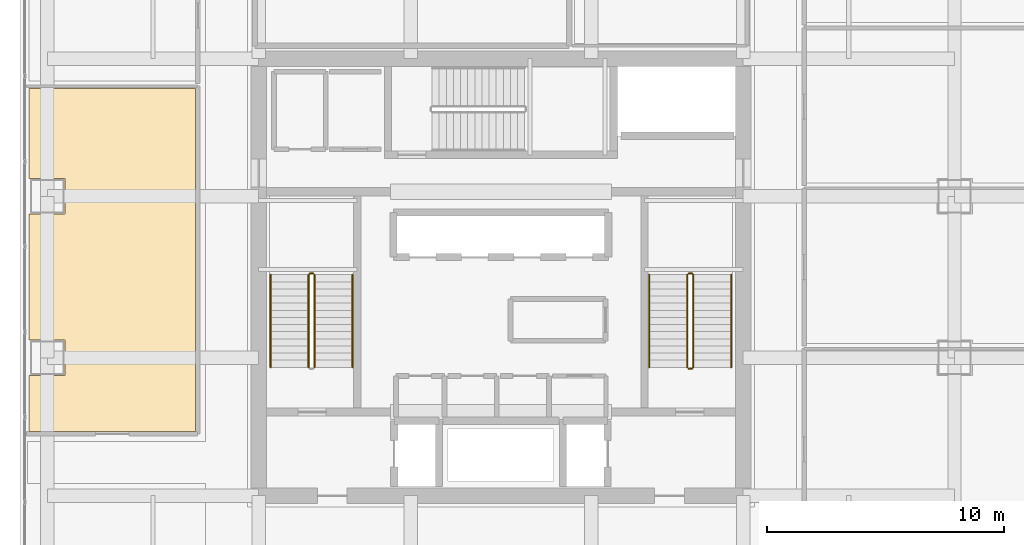
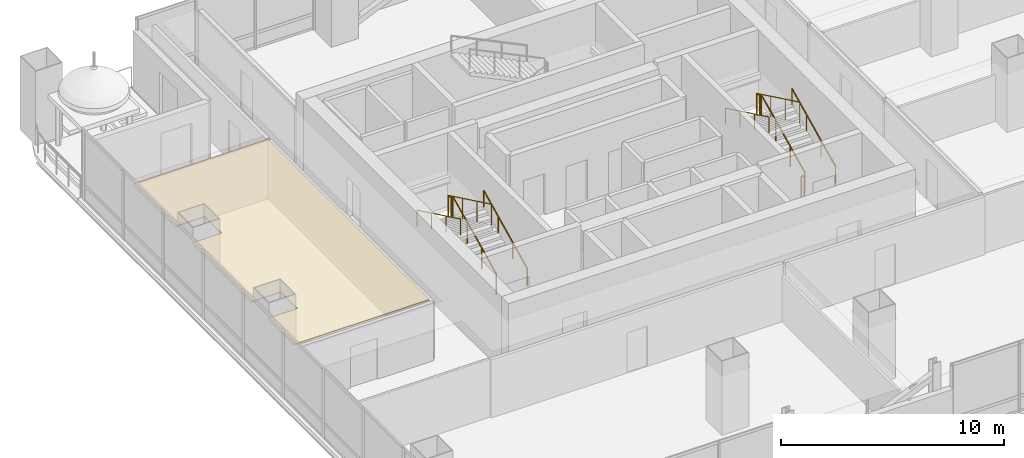
# One storey, part 36 of 41: 11 railings, 1 covering.
"""IFC4 building model written with IfcOpenShell, lengths in metres."""

from ifc_helpers import new_model, si_unit, direction, frame, origin, origin_2d, place, context, subcontext, project, spatial, polyline, circle, outline, extrude, material, layer, layer_set, type_object, element, save


model = new_model("IFC4")

# Units and contexts
model_context = context("Model", 3, precision=1e-05, world=origin(), true_north=direction((0.0, 1.0)))
body_context = subcontext(model_context, "Body", "Model", "MODEL_VIEW")
ifc_project = project(units=[si_unit("LENGTHUNIT", "METRE"), si_unit("AREAUNIT", "SQUARE_METRE"), si_unit("VOLUMEUNIT", "CUBIC_METRE"), si_unit("PLANEANGLEUNIT", "RADIAN"), si_unit("MASSUNIT", "GRAM", prefix="KILO")], contexts=[model_context])

# Site, building, storey
site_placement = place(None, origin())
site = spatial("IfcSite", under=ifc_project, at=site_placement, CompositionType="ELEMENT")
building_placement = place(site_placement, origin())
building = spatial("IfcBuilding", under=site, at=building_placement, Name="Punatoya Terracotta Tower", CompositionType="ELEMENT")
storey_placement = place(building_placement, frame((0.0, 0.0, 220.800048828125)))
storey = spatial("IfcBuildingStorey", under=building, at=storey_placement, Name="L52", CompositionType="ELEMENT", Elevation=220.800048828125)

# Covering
ifc_material_1 = material(Name="Acoustic Mineral Fibre Ceiling")
ifc_layer = layer(ifc_material_1, 0.06005859375)
ifc_layer_set = layer_set([ifc_layer], Name="Acoustic Mineral Fibre Ceiling")
covering_type = type_object("IfcCoveringType", Name="COV-CEIL-60", PredefinedType="CEILING", material=ifc_layer_set)
covering_placement = place(storey_placement, frame((0.0, 0.0, 3.219970703125)))
element("IfcCovering", 1, at=covering_placement, inside=storey, type_object=covering_type, Name="L52 Open-Plan Technical Seminar Room Acoustic Ceiling", PredefinedType="CEILING", context=body_context, shape_type="SweptSolid", body=[
    extrude(outline(polyline([(-19.8701171875, -4.14990234375), (-19.8701171875, -6.5), (-12.8701171875, -6.5), (-12.8701171875, 7.93798828125), (-19.8701171875, 7.93798828125), (-19.8701171875, 4.14990234375), (-18.35009765625, 4.14990234375), (-18.35009765625, 2.64990234375), (-19.8701171875, 2.64990234375), (-19.8701171875, -2.64990234375), (-18.35009765625, -2.64990234375), (-18.35009765625, -4.14990234375), (-19.8701171875, -4.14990234375)])), origin(), (0.0, 0.0, 1.0), 0.06005859375),
])

# Railings
ifc_material_2 = material(Name="Steel S355", Category="steel")
railing_type_1 = type_object("IfcRailingType", Name="RLG-GRD-1150", PredefinedType="GUARDRAIL", material=ifc_material_2)
railing_1_placement = place(storey_placement, frame((-7.85009765625, -3.800048828125, 0.14453125)))
element("IfcRailing", 2, at=railing_1_placement, inside=storey, type_object=railing_type_1, Name="L52 ST-1 stair guard 1", PredefinedType="GUARDRAIL", context=body_context, shape_type="SweptSolid", body=[
    extrude(circle(Radius=0.02392578125, at=origin_2d()), frame((0.0, 0.0, 1.1259765625), z_axis=(0.0, 0.900773802044, 0.434288564841), x_axis=(-1.0, 0.0, 0.0)), (0.0, 0.0, 1.0), 4.329833984375),
    extrude(circle(Radius=0.02099609375, at=origin_2d()), origin(), (0.0, 0.0, 1.0), 1.101806640625),
    extrude(circle(Radius=0.02099609375, at=origin_2d()), frame((0.0, 1.300048828125, 0.626708984375)), (0.0, 0.0, 1.0), 1.101806640625),
    extrude(circle(Radius=0.02099609375, at=origin_2d()), frame((0.0, 2.60009765625, 1.253662109375)), (0.0, 0.0, 1.0), 1.101806640625),
    extrude(circle(Radius=0.02099609375, at=origin_2d()), frame((0.0, 3.900146484375, 1.88037109375)), (0.0, 0.0, 1.0), 1.101806640625),
])
railing_2_placement = place(storey_placement, frame((-7.89990234375, 0.14990234375, 2.02490234375)))
element("IfcRailing", 3, at=railing_2_placement, inside=storey, type_object=railing_type_1, Name="L52 ST-1 stair guard 2", PredefinedType="GUARDRAIL", context=body_context, shape_type="SweptSolid", body=[
    extrude(circle(Radius=0.02392578125, at=origin_2d()), frame((0.0, 0.0, 1.1259765625), z_axis=(-1.0, 0.0, 0.0), x_axis=(0.0, -1.0, 0.0)), (0.0, 0.0, 1.0), 0.150146484375),
    extrude(circle(Radius=0.02099609375, at=origin_2d()), origin(), (0.0, 0.0, 1.0), 1.101806640625),
    extrude(circle(Radius=0.02099609375, at=origin_2d()), frame((-0.150146484375, 0.0, 0.0)), (0.0, 0.0, 1.0), 1.101806640625),
])
railing_3_placement = place(storey_placement, frame((-8.10009765625, 0.10009765625, 2.169677734375)))
element("IfcRailing", 4, at=railing_3_placement, inside=storey, type_object=railing_type_1, Name="L52 ST-1 stair guard 3", PredefinedType="GUARDRAIL", context=body_context, shape_type="SweptSolid", body=[
    extrude(circle(Radius=0.02392578125, at=origin_2d()), frame((0.0, 0.0, 1.1259765625), z_axis=(0.0, -0.900773802044, 0.434288564841), x_axis=(1.0, 0.0, 0.0)), (0.0, 0.0, 1.0), 4.329833984375),
    extrude(circle(Radius=0.02099609375, at=origin_2d()), origin(), (0.0, 0.0, 1.0), 1.101806640625),
    extrude(circle(Radius=0.02099609375, at=origin_2d()), frame((0.0, -1.300048828125, 0.626708984375)), (0.0, 0.0, 1.0), 1.101806640625),
    extrude(circle(Radius=0.02099609375, at=origin_2d()), frame((0.0, -2.60009765625, 1.253662109375)), (0.0, 0.0, 1.0), 1.101806640625),
    extrude(circle(Radius=0.02099609375, at=origin_2d()), frame((0.0, -3.900146484375, 1.88037109375)), (0.0, 0.0, 1.0), 1.101806640625),
])
railing_4_placement = place(storey_placement, frame((8.10009765625, -3.800048828125, 0.14453125)))
element("IfcRailing", 5, at=railing_4_placement, inside=storey, type_object=railing_type_1, Name="L52 ST-2 stair guard 1", PredefinedType="GUARDRAIL", context=body_context, shape_type="SweptSolid", body=[
    extrude(circle(Radius=0.02392578125, at=origin_2d()), frame((0.0, 0.0, 1.1259765625), z_axis=(0.0, 0.900773802044, 0.434288564841), x_axis=(-1.0, 0.0, 0.0)), (0.0, 0.0, 1.0), 4.329833984375),
    extrude(circle(Radius=0.02099609375, at=origin_2d()), origin(), (0.0, 0.0, 1.0), 1.101806640625),
    extrude(circle(Radius=0.02099609375, at=origin_2d()), frame((0.0, 1.300048828125, 0.626708984375)), (0.0, 0.0, 1.0), 1.101806640625),
    extrude(circle(Radius=0.02099609375, at=origin_2d()), frame((0.0, 2.60009765625, 1.253662109375)), (0.0, 0.0, 1.0), 1.101806640625),
    extrude(circle(Radius=0.02099609375, at=origin_2d()), frame((0.0, 3.900146484375, 1.88037109375)), (0.0, 0.0, 1.0), 1.101806640625),
])
railing_5_placement = place(storey_placement, frame((8.050048828125, 0.14990234375, 2.02490234375)))
element("IfcRailing", 6, at=railing_5_placement, inside=storey, type_object=railing_type_1, Name="L52 ST-2 stair guard 2", PredefinedType="GUARDRAIL", context=body_context, shape_type="SweptSolid", body=[
    extrude(circle(Radius=0.02392578125, at=origin_2d()), frame((0.0, 0.0, 1.1259765625), z_axis=(-1.0, 0.0, 0.0), x_axis=(0.0, -1.0, 0.0)), (0.0, 0.0, 1.0), 0.150146484375),
    extrude(circle(Radius=0.02099609375, at=origin_2d()), origin(), (0.0, 0.0, 1.0), 1.101806640625),
    extrude(circle(Radius=0.02099609375, at=origin_2d()), frame((-0.150146484375, 0.0, 0.0)), (0.0, 0.0, 1.0), 1.101806640625),
])
railing_6_placement = place(storey_placement, frame((7.85009765625, 0.10009765625, 2.169677734375)))
element("IfcRailing", 7, at=railing_6_placement, inside=storey, type_object=railing_type_1, Name="L52 ST-2 stair guard 3", PredefinedType="GUARDRAIL", context=body_context, shape_type="SweptSolid", body=[
    extrude(circle(Radius=0.02392578125, at=origin_2d()), frame((0.0, 0.0, 1.1259765625), z_axis=(0.0, -0.900773802044, 0.434288564841), x_axis=(1.0, 0.0, 0.0)), (0.0, 0.0, 1.0), 4.329833984375),
    extrude(circle(Radius=0.02099609375, at=origin_2d()), origin(), (0.0, 0.0, 1.0), 1.101806640625),
    extrude(circle(Radius=0.02099609375, at=origin_2d()), frame((0.0, -1.300048828125, 0.626708984375)), (0.0, 0.0, 1.0), 1.101806640625),
    extrude(circle(Radius=0.02099609375, at=origin_2d()), frame((0.0, -2.60009765625, 1.253662109375)), (0.0, 0.0, 1.0), 1.101806640625),
    extrude(circle(Radius=0.02099609375, at=origin_2d()), frame((0.0, -3.900146484375, 1.88037109375)), (0.0, 0.0, 1.0), 1.101806640625),
])
railing_7_placement = place(storey_placement, frame((8.050048828125, -3.85009765625, 0.0)))
element("IfcRailing", 8, at=railing_7_placement, inside=storey, type_object=railing_type_1, Name="L52 ST-2 stair guard 4", PredefinedType="GUARDRAIL", context=body_context, shape_type="SweptSolid", body=[
    extrude(circle(Radius=0.02392578125, at=origin_2d()), frame((0.0, 0.0, 1.1259765625), z_axis=(-1.0, 0.0, 0.0), x_axis=(0.0, -1.0, 0.0)), (0.0, 0.0, 1.0), 0.150146484375),
    extrude(circle(Radius=0.02099609375, at=origin_2d()), origin(), (0.0, 0.0, 1.0), 1.101806640625),
    extrude(circle(Radius=0.02099609375, at=origin_2d()), frame((-0.150146484375, 0.0, 0.0)), (0.0, 0.0, 1.0), 1.101806640625),
])
railing_type_2 = type_object("IfcRailingType", Name="RLG-HND-900", PredefinedType="HANDRAIL", material=ifc_material_2)
railing_8_placement = place(storey_placement, frame((-6.25, -3.800048828125, 0.14453125)))
element("IfcRailing", 9, at=railing_8_placement, inside=storey, type_object=railing_type_2, Name="L52 ST-1 stair handrail 1", PredefinedType="HANDRAIL", context=body_context, shape_type="SweptSolid", body=[
    extrude(circle(Radius=0.02392578125, at=origin_2d()), frame((0.0, 0.0, 0.8759765625), z_axis=(0.0, 0.900773802044, 0.434288564841), x_axis=(-1.0, 0.0, 0.0)), (0.0, 0.0, 1.0), 4.329833984375),
    extrude(circle(Radius=0.02099609375, at=origin_2d()), origin(), (0.0, 0.0, 1.0), 0.851806640625),
    extrude(circle(Radius=0.02099609375, at=origin_2d()), frame((0.0, 1.300048828125, 0.626708984375)), (0.0, 0.0, 1.0), 0.851806640625),
    extrude(circle(Radius=0.02099609375, at=origin_2d()), frame((0.0, 2.60009765625, 1.253662109375)), (0.0, 0.0, 1.0), 0.851806640625),
    extrude(circle(Radius=0.02099609375, at=origin_2d()), frame((0.0, 3.900146484375, 1.88037109375)), (0.0, 0.0, 1.0), 0.851806640625),
])
railing_9_placement = place(storey_placement, frame((-9.699951171875, 0.10009765625, 2.169677734375)))
element("IfcRailing", 10, at=railing_9_placement, inside=storey, type_object=railing_type_2, Name="L52 ST-1 stair handrail 2", PredefinedType="HANDRAIL", context=body_context, shape_type="SweptSolid", body=[
    extrude(circle(Radius=0.02392578125, at=origin_2d()), frame((0.0, 0.0, 0.8759765625), z_axis=(0.0, -0.900773802044, 0.434288564841), x_axis=(1.0, 0.0, 0.0)), (0.0, 0.0, 1.0), 4.329833984375),
    extrude(circle(Radius=0.02099609375, at=origin_2d()), origin(), (0.0, 0.0, 1.0), 0.851806640625),
    extrude(circle(Radius=0.02099609375, at=origin_2d()), frame((0.0, -1.300048828125, 0.626708984375)), (0.0, 0.0, 1.0), 0.851806640625),
    extrude(circle(Radius=0.02099609375, at=origin_2d()), frame((0.0, -2.60009765625, 1.253662109375)), (0.0, 0.0, 1.0), 0.851806640625),
    extrude(circle(Radius=0.02099609375, at=origin_2d()), frame((0.0, -3.900146484375, 1.88037109375)), (0.0, 0.0, 1.0), 0.851806640625),
])
railing_10_placement = place(storey_placement, frame((9.699951171875, -3.800048828125, 0.14453125)))
element("IfcRailing", 11, at=railing_10_placement, inside=storey, type_object=railing_type_2, Name="L52 ST-2 stair handrail 1", PredefinedType="HANDRAIL", context=body_context, shape_type="SweptSolid", body=[
    extrude(circle(Radius=0.02392578125, at=origin_2d()), frame((0.0, 0.0, 0.8759765625), z_axis=(0.0, 0.900773802044, 0.434288564841), x_axis=(-1.0, 0.0, 0.0)), (0.0, 0.0, 1.0), 4.329833984375),
    extrude(circle(Radius=0.02099609375, at=origin_2d()), origin(), (0.0, 0.0, 1.0), 0.851806640625),
    extrude(circle(Radius=0.02099609375, at=origin_2d()), frame((0.0, 1.300048828125, 0.626708984375)), (0.0, 0.0, 1.0), 0.851806640625),
    extrude(circle(Radius=0.02099609375, at=origin_2d()), frame((0.0, 2.60009765625, 1.253662109375)), (0.0, 0.0, 1.0), 0.851806640625),
    extrude(circle(Radius=0.02099609375, at=origin_2d()), frame((0.0, 3.900146484375, 1.88037109375)), (0.0, 0.0, 1.0), 0.851806640625),
])
railing_11_placement = place(storey_placement, frame((6.25, 0.10009765625, 2.169677734375)))
element("IfcRailing", 12, at=railing_11_placement, inside=storey, type_object=railing_type_2, Name="L52 ST-2 stair handrail 2", PredefinedType="HANDRAIL", context=body_context, shape_type="SweptSolid", body=[
    extrude(circle(Radius=0.02392578125, at=origin_2d()), frame((0.0, 0.0, 0.8759765625), z_axis=(0.0, -0.900773802044, 0.434288564841), x_axis=(1.0, 0.0, 0.0)), (0.0, 0.0, 1.0), 4.329833984375),
    extrude(circle(Radius=0.02099609375, at=origin_2d()), origin(), (0.0, 0.0, 1.0), 0.851806640625),
    extrude(circle(Radius=0.02099609375, at=origin_2d()), frame((0.0, -1.300048828125, 0.626708984375)), (0.0, 0.0, 1.0), 0.851806640625),
    extrude(circle(Radius=0.02099609375, at=origin_2d()), frame((0.0, -2.60009765625, 1.253662109375)), (0.0, 0.0, 1.0), 0.851806640625),
    extrude(circle(Radius=0.02099609375, at=origin_2d()), frame((0.0, -3.900146484375, 1.88037109375)), (0.0, 0.0, 1.0), 0.851806640625),
])

save(model, "model.ifc")
